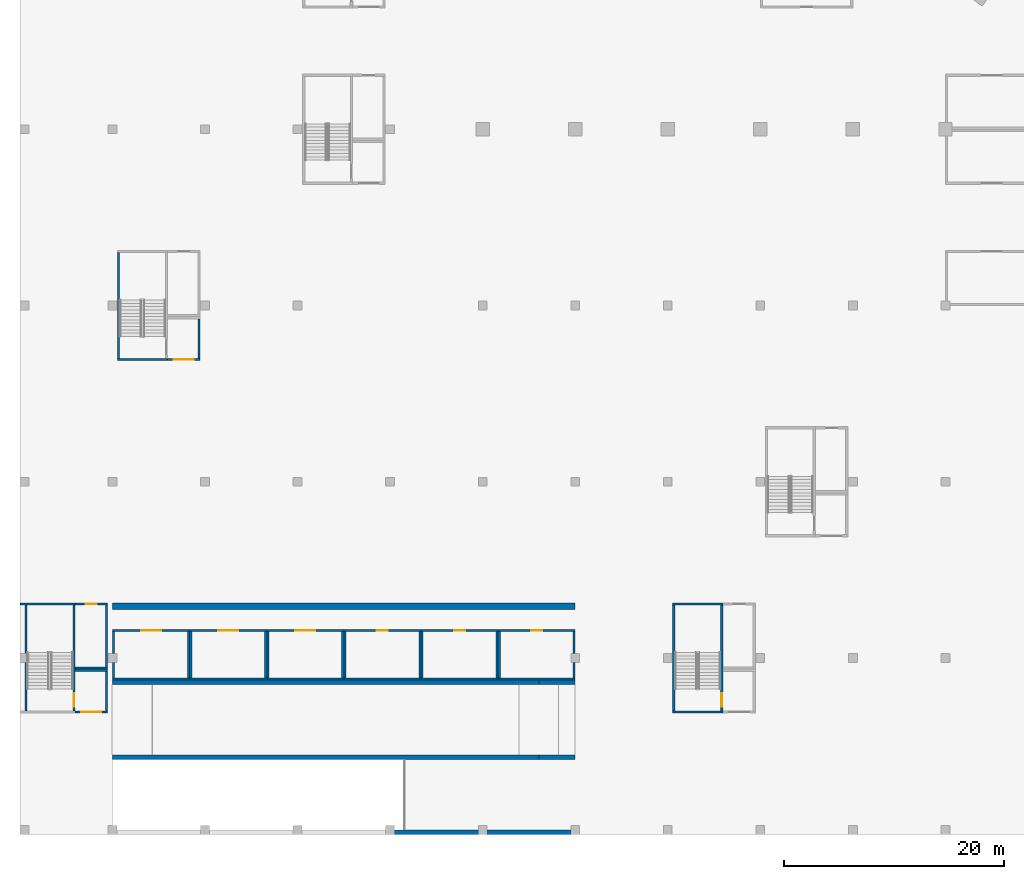
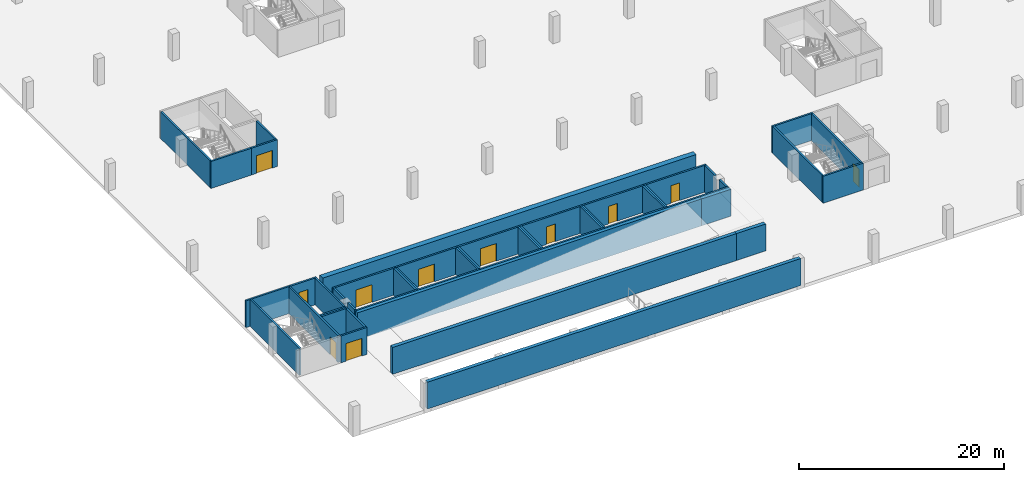
# One storey, part 4 of 37: 49 walls, 11 doors, 11 openings.
"""IFC4 building model written with IfcOpenShell, lengths in metres."""

from ifc_helpers import new_model, si_unit, direction, frame, frame_2d, origin, place, context, subcontext, project, spatial, rectangle, extrude, material, layer, layer_set, type_object, element, fill, save


model = new_model("IFC4")

# Units and contexts
model_context = context("Model", 3, precision=1e-05, world=origin(), true_north=direction((0.0, 1.0)))
body_context = subcontext(model_context, "Body", "Model", "MODEL_VIEW")
ifc_project = project(units=[si_unit("LENGTHUNIT", "METRE"), si_unit("AREAUNIT", "SQUARE_METRE"), si_unit("VOLUMEUNIT", "CUBIC_METRE"), si_unit("PLANEANGLEUNIT", "RADIAN"), si_unit("MASSUNIT", "GRAM", prefix="KILO")], contexts=[model_context])

# Site, building, storey
site_placement = place(None, origin())
site = spatial("IfcSite", under=ifc_project, at=site_placement, CompositionType="ELEMENT")
building_placement = place(site_placement, origin())
building = spatial("IfcBuilding", under=site, at=building_placement, Name="Tamra Quay Hotel Tower", CompositionType="ELEMENT")
storey_placement = place(building_placement, frame((0.0, 0.0, -7.199951171875)))
storey = spatial("IfcBuildingStorey", under=building, at=storey_placement, Name="B2", CompositionType="ELEMENT", Elevation=-7.199951171875)

# Wall
ifc_material_1 = material(Name="Blockwork", Category="masonry")
ifc_layer_1 = layer(ifc_material_1, 0.199951171875)
ifc_layer_set_1 = layer_set([ifc_layer_1], Name="Car park room wall 200")
wall_type_1 = type_object("IfcWallType", Name="Car park room wall 200", PredefinedType="PARTITIONING", material=ifc_layer_set_1)
wall_1_placement = place(storey_placement, frame((-114.300048828125, -65.89990234375, 0.0), z_axis=(0.0, 0.0, 1.0), x_axis=(1.0, 0.0, 0.0)))
element("IfcWall", 1, at=wall_1_placement, inside=storey, type_object=wall_type_1, Name="PW", PredefinedType="PARTITIONING", context=body_context, shape_type="SweptSolid", body=[
    extrude(rectangle(XDim=7.0, YDim=0.199951171875, at=frame_2d((3.5, 0.0))), origin(), (0.0, 0.0, 1.0), 3.199951171875),
])

# Wall, opening, door
wall_2_placement = place(storey_placement, frame((-114.300048828125, -61.5, 0.0), z_axis=(0.0, 0.0, 1.0), x_axis=(1.0, 0.0, 0.0)))
wall_2 = element("IfcWall", 2, at=wall_2_placement, inside=storey, type_object=wall_type_1, Name="PW", PredefinedType="PARTITIONING", context=body_context, shape_type="SweptSolid", body=[
    extrude(rectangle(XDim=7.0, YDim=0.199951171875, at=frame_2d((3.5, 0.0))), origin(), (0.0, 0.0, 1.0), 3.199951171875),
])
opening_1_placement = place(wall_2_placement, frame((2.60009765625, 0.0, 0.0)))
opening_1 = element("IfcOpeningElement", 3, at=opening_1_placement, cuts=wall_2, Name="Opening PD2", PredefinedType="OPENING", context=body_context, shape_type="SweptSolid", body=[
    extrude(rectangle(XDim=1.800048828125, YDim=2.10009765625, at=frame_2d((0.89990234375, 1.050048828125))), frame((0.0, 0.10986328125, 0.0), z_axis=(0.0, -1.0, 0.0), x_axis=(1.0, 0.0, 0.0)), (0.0, 0.0, 1.0), 0.219970703125),
])
ifc_material_2 = material(Name="Plant door 1800 x 2100")
door_type_1 = type_object("IfcDoorType", Name="Plant door 1800 x 2100", OperationType="DOUBLE_DOOR_SINGLE_SWING", PredefinedType="DOOR", material=ifc_material_2)
door_1_placement = place(opening_1_placement, origin())
door_1 = element("IfcDoor", 4, at=door_1_placement, inside=storey, type_object=door_type_1, Name="PD2", OperationType="DOUBLE_DOOR_SINGLE_SWING", OverallHeight=2.10009765625, OverallWidth=1.800048828125, PredefinedType="DOOR", context=body_context, shape_type="SweptSolid", body=[
    extrude(rectangle(XDim=1.800048828125, YDim=2.10009765625, at=frame_2d((0.89990234375, 1.050048828125))), frame((0.0, 0.02490234375, 0.0), z_axis=(0.0, -1.0, 0.0), x_axis=(1.0, 0.0, 0.0)), (0.0, 0.0, 1.0), 0.050048828125),
])
fill(opening_1, door_1)

# Walls
wall_3_placement = place(storey_placement, frame((-114.199951171875, -65.800048828125, 0.0), z_axis=(0.0, 0.0, 1.0), x_axis=(0.0, 1.0, 0.0)))
element("IfcWall", 5, at=wall_3_placement, inside=storey, type_object=wall_type_1, Name="PW", PredefinedType="PARTITIONING", context=body_context, shape_type="SweptSolid", body=[
    extrude(rectangle(XDim=1.400146484375, YDim=0.199951171875, at=frame_2d((0.7001953125, 0.0))), origin(), (0.0, 0.0, 1.0), 3.199951171875),
])
wall_4_placement = place(storey_placement, frame((-114.199951171875, -63.60009765625, 0.0), z_axis=(0.0, 0.0, 1.0), x_axis=(0.0, 1.0, 0.0)))
element("IfcWall", 6, at=wall_4_placement, inside=storey, type_object=wall_type_1, Name="PW", PredefinedType="PARTITIONING", context=body_context, shape_type="SweptSolid", body=[
    extrude(rectangle(XDim=2.0, YDim=0.199951171875, at=frame_2d((1.0, 0.0))), origin(), (0.0, 0.0, 1.0), 3.199951171875),
])
wall_5_placement = place(storey_placement, frame((-107.39990234375, -65.800048828125, 0.0), z_axis=(0.0, 0.0, 1.0), x_axis=(0.0, 1.0, 0.0)))
element("IfcWall", 7, at=wall_5_placement, inside=storey, type_object=wall_type_1, Name="PW", PredefinedType="PARTITIONING", context=body_context, shape_type="SweptSolid", body=[
    extrude(rectangle(XDim=4.199951171875, YDim=0.199951171875, at=frame_2d((2.10009765625, 0.0))), origin(), (0.0, 0.0, 1.0), 3.199951171875),
])
wall_6_placement = place(storey_placement, frame((-107.300048828125, -65.89990234375, 0.0), z_axis=(0.0, 0.0, 1.0), x_axis=(1.0, 0.0, 0.0)))
element("IfcWall", 8, at=wall_6_placement, inside=storey, type_object=wall_type_1, Name="PW", PredefinedType="PARTITIONING", context=body_context, shape_type="SweptSolid", body=[
    extrude(rectangle(XDim=7.0, YDim=0.199951171875, at=frame_2d((3.5, 0.0))), origin(), (0.0, 0.0, 1.0), 3.199951171875),
])

# Wall, opening, door
wall_7_placement = place(storey_placement, frame((-107.300048828125, -61.5, 0.0), z_axis=(0.0, 0.0, 1.0), x_axis=(1.0, 0.0, 0.0)))
wall_7 = element("IfcWall", 9, at=wall_7_placement, inside=storey, type_object=wall_type_1, Name="PW", PredefinedType="PARTITIONING", context=body_context, shape_type="SweptSolid", body=[
    extrude(rectangle(XDim=7.0, YDim=0.199951171875, at=frame_2d((3.5, 0.0))), origin(), (0.0, 0.0, 1.0), 3.199951171875),
])
opening_2_placement = place(wall_7_placement, frame((2.60009765625, 0.0, 0.0)))
opening_2 = element("IfcOpeningElement", 10, at=opening_2_placement, cuts=wall_7, Name="Opening PD2", PredefinedType="OPENING", context=body_context, shape_type="SweptSolid", body=[
    extrude(rectangle(XDim=1.800048828125, YDim=2.10009765625, at=frame_2d((0.89990234375, 1.050048828125))), frame((0.0, 0.10986328125, 0.0), z_axis=(0.0, -1.0, 0.0), x_axis=(1.0, 0.0, 0.0)), (0.0, 0.0, 1.0), 0.219970703125),
])
door_2_placement = place(opening_2_placement, origin())
door_2 = element("IfcDoor", 11, at=door_2_placement, inside=storey, type_object=door_type_1, Name="PD2", OperationType="DOUBLE_DOOR_SINGLE_SWING", OverallHeight=2.10009765625, OverallWidth=1.800048828125, PredefinedType="DOOR", context=body_context, shape_type="SweptSolid", body=[
    extrude(rectangle(XDim=1.800048828125, YDim=2.10009765625, at=frame_2d((0.89990234375, 1.050048828125))), frame((0.0, 0.02490234375, 0.0), z_axis=(0.0, -1.0, 0.0), x_axis=(1.0, 0.0, 0.0)), (0.0, 0.0, 1.0), 0.050048828125),
])
fill(opening_2, door_2)

# Walls
for number, where, z_axis, x_axis, name in (
    (12, (-107.199951171875, -65.800048828125, 0.0), (0.0, 0.0, 1.0), (0.0, 1.0, 0.0), "PW"),
    (13, (-100.39990234375, -65.800048828125, 0.0), (0.0, 0.0, 1.0), (0.0, 1.0, 0.0), "PW"),
):
    element("IfcWall", number, at=place(storey_placement, frame(where, z_axis=z_axis, x_axis=x_axis)), inside=storey, type_object=wall_type_1, Name=name, PredefinedType="PARTITIONING", context=body_context, shape_type="SweptSolid", body=[
        extrude(rectangle(XDim=4.199951171875, YDim=0.199951171875, at=frame_2d((2.10009765625, 0.0))), origin(), (0.0, 0.0, 1.0), 3.199951171875),
    ])
wall_8_placement = place(storey_placement, frame((-100.300048828125, -65.89990234375, 0.0), z_axis=(0.0, 0.0, 1.0), x_axis=(1.0, 0.0, 0.0)))
element("IfcWall", 14, at=wall_8_placement, inside=storey, type_object=wall_type_1, Name="PW", PredefinedType="PARTITIONING", context=body_context, shape_type="SweptSolid", body=[
    extrude(rectangle(XDim=7.0, YDim=0.199951171875, at=frame_2d((3.5, 0.0))), origin(), (0.0, 0.0, 1.0), 3.199951171875),
])

# Wall, opening, door
wall_9_placement = place(storey_placement, frame((-100.300048828125, -61.5, 0.0), z_axis=(0.0, 0.0, 1.0), x_axis=(1.0, 0.0, 0.0)))
wall_9 = element("IfcWall", 15, at=wall_9_placement, inside=storey, type_object=wall_type_1, Name="PW", PredefinedType="PARTITIONING", context=body_context, shape_type="SweptSolid", body=[
    extrude(rectangle(XDim=7.0, YDim=0.199951171875, at=frame_2d((3.5, 0.0))), origin(), (0.0, 0.0, 1.0), 3.199951171875),
])
opening_3_placement = place(wall_9_placement, frame((2.60009765625, 0.0, 0.0)))
opening_3 = element("IfcOpeningElement", 16, at=opening_3_placement, cuts=wall_9, Name="Opening PD2", PredefinedType="OPENING", context=body_context, shape_type="SweptSolid", body=[
    extrude(rectangle(XDim=1.800048828125, YDim=2.10009765625, at=frame_2d((0.89990234375, 1.050048828125))), frame((0.0, 0.10986328125, 0.0), z_axis=(0.0, -1.0, 0.0), x_axis=(1.0, 0.0, 0.0)), (0.0, 0.0, 1.0), 0.219970703125),
])
door_3_placement = place(opening_3_placement, origin())
door_3 = element("IfcDoor", 17, at=door_3_placement, inside=storey, type_object=door_type_1, Name="PD2", OperationType="DOUBLE_DOOR_SINGLE_SWING", OverallHeight=2.10009765625, OverallWidth=1.800048828125, PredefinedType="DOOR", context=body_context, shape_type="SweptSolid", body=[
    extrude(rectangle(XDim=1.800048828125, YDim=2.10009765625, at=frame_2d((0.89990234375, 1.050048828125))), frame((0.0, 0.02490234375, 0.0), z_axis=(0.0, -1.0, 0.0), x_axis=(1.0, 0.0, 0.0)), (0.0, 0.0, 1.0), 0.050048828125),
])
fill(opening_3, door_3)

# Walls
for number, where, z_axis, x_axis, name in (
    (18, (-100.199951171875, -65.800048828125, 0.0), (0.0, 0.0, 1.0), (0.0, 1.0, 0.0), "PW"),
    (19, (-93.39990234375, -65.800048828125, 0.0), (0.0, 0.0, 1.0), (0.0, 1.0, 0.0), "PW"),
):
    element("IfcWall", number, at=place(storey_placement, frame(where, z_axis=z_axis, x_axis=x_axis)), inside=storey, type_object=wall_type_1, Name=name, PredefinedType="PARTITIONING", context=body_context, shape_type="SweptSolid", body=[
        extrude(rectangle(XDim=4.199951171875, YDim=0.199951171875, at=frame_2d((2.10009765625, 0.0))), origin(), (0.0, 0.0, 1.0), 3.199951171875),
    ])
wall_10_placement = place(storey_placement, frame((-93.300048828125, -65.89990234375, 0.0), z_axis=(0.0, 0.0, 1.0), x_axis=(1.0, 0.0, 0.0)))
element("IfcWall", 20, at=wall_10_placement, inside=storey, type_object=wall_type_1, Name="PW", PredefinedType="PARTITIONING", context=body_context, shape_type="SweptSolid", body=[
    extrude(rectangle(XDim=7.0, YDim=0.199951171875, at=frame_2d((3.5, 0.0))), origin(), (0.0, 0.0, 1.0), 3.199951171875),
])

# Wall, opening, door
wall_11_placement = place(storey_placement, frame((-93.300048828125, -61.5, 0.0), z_axis=(0.0, 0.0, 1.0), x_axis=(1.0, 0.0, 0.0)))
wall_11 = element("IfcWall", 21, at=wall_11_placement, inside=storey, type_object=wall_type_1, Name="PW", PredefinedType="PARTITIONING", context=body_context, shape_type="SweptSolid", body=[
    extrude(rectangle(XDim=7.0, YDim=0.199951171875, at=frame_2d((3.5, 0.0))), origin(), (0.0, 0.0, 1.0), 3.199951171875),
])
opening_4_placement = place(wall_11_placement, frame((3.0, 0.0, 0.0)))
opening_4 = element("IfcOpeningElement", 22, at=opening_4_placement, cuts=wall_11, Name="Opening PD1", PredefinedType="OPENING", context=body_context, shape_type="SweptSolid", body=[
    extrude(rectangle(XDim=1.0, YDim=2.10009765625, at=frame_2d((0.5, 1.050048828125))), frame((0.0, 0.10986328125, 0.0), z_axis=(0.0, -1.0, 0.0), x_axis=(1.0, 0.0, 0.0)), (0.0, 0.0, 1.0), 0.219970703125),
])
ifc_material_3 = material(Name="Car park door 1000 x 2100")
door_type_2 = type_object("IfcDoorType", Name="Car park door 1000 x 2100", OperationType="NOTDEFINED", PredefinedType="DOOR", material=ifc_material_3)
door_4_placement = place(opening_4_placement, origin())
door_4 = element("IfcDoor", 23, at=door_4_placement, inside=storey, type_object=door_type_2, Name="PD1", OperationType="SINGLE_SWING_LEFT", OverallHeight=2.10009765625, OverallWidth=1.0, PredefinedType="DOOR", context=body_context, shape_type="SweptSolid", body=[
    extrude(rectangle(XDim=1.0, YDim=2.10009765625, at=frame_2d((0.5, 1.050048828125))), frame((0.0, 0.02490234375, 0.0), z_axis=(0.0, -1.0, 0.0), x_axis=(1.0, 0.0, 0.0)), (0.0, 0.0, 1.0), 0.050048828125),
])
fill(opening_4, door_4)

# Walls
for number, where, z_axis, x_axis, name in (
    (24, (-93.199951171875, -65.800048828125, 0.0), (0.0, 0.0, 1.0), (0.0, 1.0, 0.0), "PW"),
    (25, (-86.39990234375, -65.800048828125, 0.0), (0.0, 0.0, 1.0), (0.0, 1.0, 0.0), "PW"),
):
    element("IfcWall", number, at=place(storey_placement, frame(where, z_axis=z_axis, x_axis=x_axis)), inside=storey, type_object=wall_type_1, Name=name, PredefinedType="PARTITIONING", context=body_context, shape_type="SweptSolid", body=[
        extrude(rectangle(XDim=4.199951171875, YDim=0.199951171875, at=frame_2d((2.10009765625, 0.0))), origin(), (0.0, 0.0, 1.0), 3.199951171875),
    ])
wall_12_placement = place(storey_placement, frame((-86.300048828125, -65.89990234375, 0.0), z_axis=(0.0, 0.0, 1.0), x_axis=(1.0, 0.0, 0.0)))
element("IfcWall", 26, at=wall_12_placement, inside=storey, type_object=wall_type_1, Name="PW", PredefinedType="PARTITIONING", context=body_context, shape_type="SweptSolid", body=[
    extrude(rectangle(XDim=7.0, YDim=0.199951171875, at=frame_2d((3.5, 0.0))), origin(), (0.0, 0.0, 1.0), 3.199951171875),
])

# Wall, opening, door
wall_13_placement = place(storey_placement, frame((-86.300048828125, -61.5, 0.0), z_axis=(0.0, 0.0, 1.0), x_axis=(1.0, 0.0, 0.0)))
wall_13 = element("IfcWall", 27, at=wall_13_placement, inside=storey, type_object=wall_type_1, Name="PW", PredefinedType="PARTITIONING", context=body_context, shape_type="SweptSolid", body=[
    extrude(rectangle(XDim=7.0, YDim=0.199951171875, at=frame_2d((3.5, 0.0))), origin(), (0.0, 0.0, 1.0), 3.199951171875),
])
opening_5_placement = place(wall_13_placement, frame((3.0, 0.0, 0.0)))
opening_5 = element("IfcOpeningElement", 28, at=opening_5_placement, cuts=wall_13, Name="Opening PD1", PredefinedType="OPENING", context=body_context, shape_type="SweptSolid", body=[
    extrude(rectangle(XDim=1.0, YDim=2.10009765625, at=frame_2d((0.5, 1.050048828125))), frame((0.0, 0.10986328125, 0.0), z_axis=(0.0, -1.0, 0.0), x_axis=(1.0, 0.0, 0.0)), (0.0, 0.0, 1.0), 0.219970703125),
])
door_5_placement = place(opening_5_placement, origin())
door_5 = element("IfcDoor", 29, at=door_5_placement, inside=storey, type_object=door_type_2, Name="PD1", OperationType="SINGLE_SWING_LEFT", OverallHeight=2.10009765625, OverallWidth=1.0, PredefinedType="DOOR", context=body_context, shape_type="SweptSolid", body=[
    extrude(rectangle(XDim=1.0, YDim=2.10009765625, at=frame_2d((0.5, 1.050048828125))), frame((0.0, 0.02490234375, 0.0), z_axis=(0.0, -1.0, 0.0), x_axis=(1.0, 0.0, 0.0)), (0.0, 0.0, 1.0), 0.050048828125),
])
fill(opening_5, door_5)

# Walls
for number, where, z_axis, x_axis, name in (
    (30, (-86.199951171875, -65.800048828125, 0.0), (0.0, 0.0, 1.0), (0.0, 1.0, 0.0), "PW"),
    (31, (-79.39990234375, -65.800048828125, 0.0), (0.0, 0.0, 1.0), (0.0, 1.0, 0.0), "PW"),
):
    element("IfcWall", number, at=place(storey_placement, frame(where, z_axis=z_axis, x_axis=x_axis)), inside=storey, type_object=wall_type_1, Name=name, PredefinedType="PARTITIONING", context=body_context, shape_type="SweptSolid", body=[
        extrude(rectangle(XDim=4.199951171875, YDim=0.199951171875, at=frame_2d((2.10009765625, 0.0))), origin(), (0.0, 0.0, 1.0), 3.199951171875),
    ])
wall_14_placement = place(storey_placement, frame((-79.300048828125, -65.89990234375, 0.0), z_axis=(0.0, 0.0, 1.0), x_axis=(1.0, 0.0, 0.0)))
element("IfcWall", 32, at=wall_14_placement, inside=storey, type_object=wall_type_1, Name="PW", PredefinedType="PARTITIONING", context=body_context, shape_type="SweptSolid", body=[
    extrude(rectangle(XDim=7.0, YDim=0.199951171875, at=frame_2d((3.5, 0.0))), origin(), (0.0, 0.0, 1.0), 3.199951171875),
])

# Wall, opening, door
wall_15_placement = place(storey_placement, frame((-79.300048828125, -61.5, 0.0), z_axis=(0.0, 0.0, 1.0), x_axis=(1.0, 0.0, 0.0)))
wall_15 = element("IfcWall", 33, at=wall_15_placement, inside=storey, type_object=wall_type_1, Name="PW", PredefinedType="PARTITIONING", context=body_context, shape_type="SweptSolid", body=[
    extrude(rectangle(XDim=7.0, YDim=0.199951171875, at=frame_2d((3.5, 0.0))), origin(), (0.0, 0.0, 1.0), 3.199951171875),
])
opening_6_placement = place(wall_15_placement, frame((3.0, 0.0, 0.0)))
opening_6 = element("IfcOpeningElement", 34, at=opening_6_placement, cuts=wall_15, Name="Opening PD1", PredefinedType="OPENING", context=body_context, shape_type="SweptSolid", body=[
    extrude(rectangle(XDim=1.0, YDim=2.10009765625, at=frame_2d((0.5, 1.050048828125))), frame((0.0, 0.10986328125, 0.0), z_axis=(0.0, -1.0, 0.0), x_axis=(1.0, 0.0, 0.0)), (0.0, 0.0, 1.0), 0.219970703125),
])
door_6_placement = place(opening_6_placement, origin())
door_6 = element("IfcDoor", 35, at=door_6_placement, inside=storey, type_object=door_type_2, Name="PD1", OperationType="SINGLE_SWING_LEFT", OverallHeight=2.10009765625, OverallWidth=1.0, PredefinedType="DOOR", context=body_context, shape_type="SweptSolid", body=[
    extrude(rectangle(XDim=1.0, YDim=2.10009765625, at=frame_2d((0.5, 1.050048828125))), frame((0.0, 0.02490234375, 0.0), z_axis=(0.0, -1.0, 0.0), x_axis=(1.0, 0.0, 0.0)), (0.0, 0.0, 1.0), 0.050048828125),
])
fill(opening_6, door_6)

# Walls
wall_16_placement = place(storey_placement, frame((-79.199951171875, -65.800048828125, 0.0), z_axis=(0.0, 0.0, 1.0), x_axis=(0.0, 1.0, 0.0)))
element("IfcWall", 36, at=wall_16_placement, inside=storey, type_object=wall_type_1, Name="PW", PredefinedType="PARTITIONING", context=body_context, shape_type="SweptSolid", body=[
    extrude(rectangle(XDim=4.199951171875, YDim=0.199951171875, at=frame_2d((2.10009765625, 0.0))), origin(), (0.0, 0.0, 1.0), 3.199951171875),
])
wall_17_placement = place(storey_placement, frame((-72.39990234375, -65.800048828125, 0.0), z_axis=(0.0, 0.0, 1.0), x_axis=(0.0, 1.0, 0.0)))
element("IfcWall", 37, at=wall_17_placement, inside=storey, type_object=wall_type_1, Name="PW", PredefinedType="PARTITIONING", context=body_context, shape_type="SweptSolid", body=[
    extrude(rectangle(XDim=1.400146484375, YDim=0.199951171875, at=frame_2d((0.7001953125, 0.0))), origin(), (0.0, 0.0, 1.0), 3.199951171875),
])
wall_18_placement = place(storey_placement, frame((-72.39990234375, -63.60009765625, 0.0), z_axis=(0.0, 0.0, 1.0), x_axis=(0.0, 1.0, 0.0)))
element("IfcWall", 38, at=wall_18_placement, inside=storey, type_object=wall_type_1, Name="PW", PredefinedType="PARTITIONING", context=body_context, shape_type="SweptSolid", body=[
    extrude(rectangle(XDim=2.0, YDim=0.199951171875, at=frame_2d((1.0, 0.0))), origin(), (0.0, 0.0, 1.0), 3.199951171875),
])

# Wall, opening, door
wall_19_placement = place(storey_placement, frame((-109.300048828125, -36.89990234375, 0.0), z_axis=(0.0, 0.0, 1.0), x_axis=(1.0, 0.0, 0.0)))
wall_19 = element("IfcWall", 39, at=wall_19_placement, inside=storey, type_object=wall_type_1, Name="PW", PredefinedType="PARTITIONING", context=body_context, shape_type="SweptSolid", body=[
    extrude(rectangle(XDim=2.949951171875, YDim=0.199951171875, at=frame_2d((1.47509765625, 0.0))), origin(), (0.0, 0.0, 1.0), 3.199951171875),
])
opening_7_placement = place(wall_19_placement, frame((0.574951171875, 0.0, 0.0)))
opening_7 = element("IfcOpeningElement", 40, at=opening_7_placement, cuts=wall_19, Name="Opening PD2", PredefinedType="OPENING", context=body_context, shape_type="SweptSolid", body=[
    extrude(rectangle(XDim=1.800048828125, YDim=2.10009765625, at=frame_2d((0.89990234375, 1.050048828125))), frame((0.0, 0.10986328125, 0.0), z_axis=(0.0, -1.0, 0.0), x_axis=(1.0, 0.0, 0.0)), (0.0, 0.0, 1.0), 0.219970703125),
])
door_7_placement = place(opening_7_placement, origin())
door_7 = element("IfcDoor", 41, at=door_7_placement, inside=storey, type_object=door_type_1, Name="PD2", OperationType="DOUBLE_DOOR_SINGLE_SWING", OverallHeight=2.10009765625, OverallWidth=1.800048828125, PredefinedType="DOOR", context=body_context, shape_type="SweptSolid", body=[
    extrude(rectangle(XDim=1.800048828125, YDim=2.10009765625, at=frame_2d((0.89990234375, 1.050048828125))), frame((0.0, 0.02490234375, 0.0), z_axis=(0.0, -1.0, 0.0), x_axis=(1.0, 0.0, 0.0)), (0.0, 0.0, 1.0), 0.050048828125),
])
fill(opening_7, door_7)

# Wall
wall_20_placement = place(storey_placement, frame((-106.449951171875, -36.800048828125, 0.0), z_axis=(0.0, 0.0, 1.0), x_axis=(0.0, 1.0, 0.0)))
element("IfcWall", 42, at=wall_20_placement, inside=storey, type_object=wall_type_1, Name="PW", PredefinedType="PARTITIONING", context=body_context, shape_type="SweptSolid", body=[
    extrude(rectangle(XDim=3.60009765625, YDim=0.199951171875, at=frame_2d((1.800048828125, 0.0))), origin(), (0.0, 0.0, 1.0), 3.199951171875),
])

# Wall, opening, door
wall_21_placement = place(storey_placement, frame((-117.699951171875, -68.89990234375, 0.0), z_axis=(0.0, 0.0, 1.0), x_axis=(1.0, 0.0, 0.0)))
wall_21 = element("IfcWall", 43, at=wall_21_placement, inside=storey, type_object=wall_type_1, Name="PW", PredefinedType="PARTITIONING", context=body_context, shape_type="SweptSolid", body=[
    extrude(rectangle(XDim=2.949951171875, YDim=0.199951171875, at=frame_2d((1.47509765625, 0.0))), origin(), (0.0, 0.0, 1.0), 3.199951171875),
])
opening_8_placement = place(wall_21_placement, frame((0.574951171875, 0.0, 0.0)))
opening_8 = element("IfcOpeningElement", 44, at=opening_8_placement, cuts=wall_21, Name="Opening PD2", PredefinedType="OPENING", context=body_context, shape_type="SweptSolid", body=[
    extrude(rectangle(XDim=1.800048828125, YDim=2.10009765625, at=frame_2d((0.89990234375, 1.050048828125))), frame((0.0, 0.10986328125, 0.0), z_axis=(0.0, -1.0, 0.0), x_axis=(1.0, 0.0, 0.0)), (0.0, 0.0, 1.0), 0.219970703125),
])
door_8_placement = place(opening_8_placement, origin())
door_8 = element("IfcDoor", 45, at=door_8_placement, inside=storey, type_object=door_type_1, Name="PD2", OperationType="DOUBLE_DOOR_SINGLE_SWING", OverallHeight=2.10009765625, OverallWidth=1.800048828125, PredefinedType="DOOR", context=body_context, shape_type="SweptSolid", body=[
    extrude(rectangle(XDim=1.800048828125, YDim=2.10009765625, at=frame_2d((0.89990234375, 1.050048828125))), frame((0.0, 0.02490234375, 0.0), z_axis=(0.0, -1.0, 0.0), x_axis=(1.0, 0.0, 0.0)), (0.0, 0.0, 1.0), 0.050048828125),
])
fill(opening_8, door_8)

# Walls
wall_22_placement = place(storey_placement, frame((-117.699951171875, -65.10009765625, 0.0), z_axis=(0.0, 0.0, 1.0), x_axis=(1.0, 0.0, 0.0)))
element("IfcWall", 46, at=wall_22_placement, inside=storey, type_object=wall_type_1, Name="PW", PredefinedType="PARTITIONING", context=body_context, shape_type="SweptSolid", body=[
    extrude(rectangle(XDim=2.949951171875, YDim=0.199951171875, at=frame_2d((1.47509765625, 0.0))), origin(), (0.0, 0.0, 1.0), 3.199951171875),
])
wall_23_placement = place(storey_placement, frame((-114.85009765625, -68.800048828125, 0.0), z_axis=(0.0, 0.0, 1.0), x_axis=(0.0, 1.0, 0.0)))
element("IfcWall", 47, at=wall_23_placement, inside=storey, type_object=wall_type_1, Name="PW", PredefinedType="PARTITIONING", context=body_context, shape_type="SweptSolid", body=[
    extrude(rectangle(XDim=3.60009765625, YDim=0.199951171875, at=frame_2d((1.800048828125, 0.0))), origin(), (0.0, 0.0, 1.0), 3.199951171875),
])
wall_24_placement = place(storey_placement, frame((-117.699951171875, -64.89990234375, 0.0), z_axis=(0.0, 0.0, 1.0), x_axis=(1.0, 0.0, 0.0)))
element("IfcWall", 48, at=wall_24_placement, inside=storey, type_object=wall_type_1, Name="PW", PredefinedType="PARTITIONING", context=body_context, shape_type="SweptSolid", body=[
    extrude(rectangle(XDim=2.949951171875, YDim=0.199951171875, at=frame_2d((1.47509765625, 0.0))), origin(), (0.0, 0.0, 1.0), 3.199951171875),
])

# Wall, opening, door
wall_25_placement = place(storey_placement, frame((-117.699951171875, -59.10009765625, 0.0), z_axis=(0.0, 0.0, 1.0), x_axis=(1.0, 0.0, 0.0)))
wall_25 = element("IfcWall", 49, at=wall_25_placement, inside=storey, type_object=wall_type_1, Name="PW", PredefinedType="PARTITIONING", context=body_context, shape_type="SweptSolid", body=[
    extrude(rectangle(XDim=2.949951171875, YDim=0.199951171875, at=frame_2d((1.47509765625, 0.0))), origin(), (0.0, 0.0, 1.0), 3.199951171875),
])
opening_9_placement = place(wall_25_placement, frame((0.97509765625, 0.0, 0.0)))
opening_9 = element("IfcOpeningElement", 50, at=opening_9_placement, cuts=wall_25, Name="Opening PD1", PredefinedType="OPENING", context=body_context, shape_type="SweptSolid", body=[
    extrude(rectangle(XDim=1.0, YDim=2.10009765625, at=frame_2d((0.5, 1.050048828125))), frame((0.0, 0.10986328125, 0.0), z_axis=(0.0, -1.0, 0.0), x_axis=(1.0, 0.0, 0.0)), (0.0, 0.0, 1.0), 0.219970703125),
])
door_9_placement = place(opening_9_placement, origin())
door_9 = element("IfcDoor", 51, at=door_9_placement, inside=storey, type_object=door_type_2, Name="PD1", OperationType="SINGLE_SWING_LEFT", OverallHeight=2.10009765625, OverallWidth=1.0, PredefinedType="DOOR", context=body_context, shape_type="SweptSolid", body=[
    extrude(rectangle(XDim=1.0, YDim=2.10009765625, at=frame_2d((0.5, 1.050048828125))), frame((0.0, 0.02490234375, 0.0), z_axis=(0.0, -1.0, 0.0), x_axis=(1.0, 0.0, 0.0)), (0.0, 0.0, 1.0), 0.050048828125),
])
fill(opening_9, door_9)

# Walls
wall_26_placement = place(storey_placement, frame((-114.85009765625, -64.800048828125, 0.0), z_axis=(0.0, 0.0, 1.0), x_axis=(0.0, 1.0, 0.0)))
element("IfcWall", 52, at=wall_26_placement, inside=storey, type_object=wall_type_1, Name="PW", PredefinedType="PARTITIONING", context=body_context, shape_type="SweptSolid", body=[
    extrude(rectangle(XDim=5.60009765625, YDim=0.199951171875, at=frame_2d((2.800048828125, 0.0))), origin(), (0.0, 0.0, 1.0), 3.199951171875),
])
ifc_material_4 = material(Name="Concrete M60", Category="concrete")
ifc_layer_2 = layer(ifc_material_4, 0.39990234375)
ifc_layer_set_2 = layer_set([ifc_layer_2], Name="Concrete M60 ramp kerb wall 400")
wall_type_2 = type_object("IfcWallType", Name="Concrete M60 ramp kerb wall 400", PredefinedType="SOLIDWALL", material=ifc_layer_set_2)
wall_27_placement = place(storey_placement, frame((-114.300048828125, -79.800048828125, 0.0), z_axis=(0.0, 0.0, 1.0), x_axis=(1.0, 0.0, 0.0)))
element("IfcWall", 53, at=wall_27_placement, inside=storey, type_object=wall_type_2, Name="RW4", PredefinedType="SOLIDWALL", context=body_context, shape_type="SweptSolid", body=[
    extrude(rectangle(XDim=42.0, YDim=0.39990234375, at=frame_2d((21.0, 0.0))), origin(), (0.0, 0.0, 1.0), 3.199951171875),
])
wall_28_placement = place(storey_placement, frame((-114.300048828125, -73.0, 0.0), z_axis=(0.0, 0.0, 1.0), x_axis=(1.0, 0.0, 0.0)))
element("IfcWall", 54, at=wall_28_placement, inside=storey, type_object=wall_type_2, Name="RW4", PredefinedType="SOLIDWALL", context=body_context, shape_type="SweptSolid", body=[
    extrude(rectangle(XDim=38.699951171875, YDim=0.39990234375, at=frame_2d((19.35009765625, 0.0))), origin(), (0.0, 0.0, 1.0), 3.199951171875),
])
wall_29_placement = place(storey_placement, frame((-75.60009765625, -73.0, 0.0), z_axis=(0.0, 0.0, 1.0), x_axis=(1.0, 0.0, 0.0)))
element("IfcWall", 55, at=wall_29_placement, inside=storey, type_object=wall_type_2, Name="RW4", PredefinedType="SOLIDWALL", context=body_context, shape_type="SweptSolid", body=[
    extrude(rectangle(XDim=3.300048828125, YDim=0.39990234375, at=frame_2d((1.64990234375, 0.0))), origin(), (0.0, 0.0, 1.0), 3.199951171875),
])
wall_30_placement = place(storey_placement, frame((-114.300048828125, -66.199951171875, 0.0), z_axis=(0.0, 0.0, 1.0), x_axis=(1.0, 0.0, 0.0)))
element("IfcWall", 56, at=wall_30_placement, inside=storey, type_object=wall_type_2, Name="RW4", PredefinedType="SOLIDWALL", context=body_context, shape_type="SweptSolid", body=[
    extrude(rectangle(XDim=38.699951171875, YDim=0.39990234375, at=frame_2d((19.35009765625, 0.0))), origin(), (0.0, 0.0, 1.0), 3.199951171875),
])
wall_31_placement = place(storey_placement, frame((-75.60009765625, -66.199951171875, 0.0), z_axis=(0.0, 0.0, 1.0), x_axis=(1.0, 0.0, 0.0)))
element("IfcWall", 57, at=wall_31_placement, inside=storey, type_object=wall_type_2, Name="RW4", PredefinedType="SOLIDWALL", context=body_context, shape_type="SweptSolid", body=[
    extrude(rectangle(XDim=3.300048828125, YDim=0.39990234375, at=frame_2d((1.64990234375, 0.0))), origin(), (0.0, 0.0, 1.0), 3.199951171875),
])
ifc_layer_3 = layer(ifc_material_4, 0.60009765625)
ifc_layer_set_3 = layer_set([ifc_layer_3], Name="Concrete M60 ramp kerb wall 600")
wall_type_3 = type_object("IfcWallType", Name="Concrete M60 ramp kerb wall 600", PredefinedType="SOLIDWALL", material=ifc_layer_set_3)
wall_32_placement = place(storey_placement, frame((-114.300048828125, -59.300048828125, 0.0), z_axis=(0.0, 0.0, 1.0), x_axis=(1.0, 0.0, 0.0)))
element("IfcWall", 58, at=wall_32_placement, inside=storey, type_object=wall_type_3, Name="RW6", PredefinedType="SOLIDWALL", context=body_context, shape_type="SweptSolid", body=[
    extrude(rectangle(XDim=42.0, YDim=0.60009765625, at=frame_2d((21.0, 0.0))), origin(), (0.0, 0.0, 1.0), 3.199951171875),
])
ifc_material_5 = material(Name="Concrete M70", Category="concrete")
ifc_layer_4 = layer(ifc_material_5, 0.199951171875)
ifc_layer_set_4 = layer_set([ifc_layer_4], Name="Concrete M70 stair enclosure wall 200")
wall_type_4 = type_object("IfcWallType", Name="Concrete M70 stair enclosure wall 200", PredefinedType="SOLIDWALL", material=ifc_layer_set_4)
wall_33_placement = place(storey_placement, frame((-113.75, -36.800048828125, 0.0), z_axis=(0.0, 0.0, 1.0), x_axis=(0.0, 1.0, 0.0)))
element("IfcWall", 59, at=wall_33_placement, inside=storey, type_object=wall_type_4, Name="SEW", PredefinedType="SOLIDWALL", context=body_context, shape_type="SweptSolid", body=[
    extrude(rectangle(XDim=9.60009765625, YDim=0.199951171875, at=frame_2d((4.800048828125, 0.0))), origin(), (0.0, 0.0, 1.0), 3.199951171875),
])
wall_34_placement = place(storey_placement, frame((-109.300048828125, -36.89990234375, 0.0), z_axis=(0.0, 0.0, 1.0), x_axis=(-1.0, 0.0, 0.0)))
element("IfcWall", 60, at=wall_34_placement, inside=storey, type_object=wall_type_4, Name="SEW", PredefinedType="SOLIDWALL", context=body_context, shape_type="SweptSolid", body=[
    extrude(rectangle(XDim=4.550048828125, YDim=0.199951171875, at=frame_2d((2.27490234375, 0.0))), origin(), (0.0, 0.0, 1.0), 3.199951171875),
])
wall_35_placement = place(storey_placement, frame((-63.35009765625, -68.800048828125, 0.0), z_axis=(0.0, 0.0, 1.0), x_axis=(0.0, 1.0, 0.0)))
element("IfcWall", 61, at=wall_35_placement, inside=storey, type_object=wall_type_4, Name="SEW", PredefinedType="SOLIDWALL", context=body_context, shape_type="SweptSolid", body=[
    extrude(rectangle(XDim=9.60009765625, YDim=0.199951171875, at=frame_2d((4.800048828125, 0.0))), origin(), (0.0, 0.0, 1.0), 3.199951171875),
])

# Wall, opening, door
wall_36_placement = place(storey_placement, frame((-59.0, -68.800048828125, 0.0), z_axis=(0.0, 0.0, 1.0), x_axis=(0.0, 1.0, 0.0)))
wall_36 = element("IfcWall", 62, at=wall_36_placement, inside=storey, type_object=wall_type_4, Name="SEW", PredefinedType="SOLIDWALL", context=body_context, shape_type="SweptSolid", body=[
    extrude(rectangle(XDim=9.60009765625, YDim=0.199951171875, at=frame_2d((4.800048828125, 0.0))), origin(), (0.0, 0.0, 1.0), 3.199951171875),
])
opening_10_placement = place(wall_36_placement, frame((0.39990234375, 0.0, 0.0)))
opening_10 = element("IfcOpeningElement", 63, at=opening_10_placement, cuts=wall_36, Name="Opening SD1", PredefinedType="OPENING", context=body_context, shape_type="SweptSolid", body=[
    extrude(rectangle(XDim=1.199951171875, YDim=2.10009765625, at=frame_2d((0.60009765625, 1.050048828125))), frame((0.0, 0.10986328125, 0.0), z_axis=(0.0, -1.0, 0.0), x_axis=(1.0, 0.0, 0.0)), (0.0, 0.0, 1.0), 0.219970703125),
])
ifc_material_6 = material(Name="Stair door 1200 x 2100")
door_type_3 = type_object("IfcDoorType", Name="Stair door 1200 x 2100", OperationType="NOTDEFINED", PredefinedType="DOOR", material=ifc_material_6)
door_10_placement = place(opening_10_placement, origin())
door_10 = element("IfcDoor", 64, at=door_10_placement, inside=storey, type_object=door_type_3, Name="SD1", OperationType="SINGLE_SWING_LEFT", OverallHeight=2.10009765625, OverallWidth=1.199951171875, PredefinedType="DOOR", context=body_context, shape_type="SweptSolid", body=[
    extrude(rectangle(XDim=1.199951171875, YDim=2.10009765625, at=frame_2d((0.60009765625, 1.050048828125))), frame((0.0, 0.02490234375, 0.0), z_axis=(0.0, -1.0, 0.0), x_axis=(1.0, 0.0, 0.0)), (0.0, 0.0, 1.0), 0.050048828125),
])
fill(opening_10, door_10)

# Walls
for number, where, z_axis, x_axis, name in (
    (65, (-58.89990234375, -68.89990234375, 0.0), (0.0, 0.0, 1.0), (-1.0, 0.0, 0.0), "SEW"),
    (66, (-63.449951171875, -59.10009765625, 0.0), (0.0, 0.0, 1.0), (1.0, 0.0, 0.0), "SEW"),
):
    element("IfcWall", number, at=place(storey_placement, frame(where, z_axis=z_axis, x_axis=x_axis)), inside=storey, type_object=wall_type_4, Name=name, PredefinedType="SOLIDWALL", context=body_context, shape_type="SweptSolid", body=[
        extrude(rectangle(XDim=4.550048828125, YDim=0.199951171875, at=frame_2d((2.27490234375, 0.0))), origin(), (0.0, 0.0, 1.0), 3.199951171875),
    ])
wall_37_placement = place(storey_placement, frame((-122.14990234375, -68.800048828125, 0.0), z_axis=(0.0, 0.0, 1.0), x_axis=(0.0, 1.0, 0.0)))
element("IfcWall", 67, at=wall_37_placement, inside=storey, type_object=wall_type_4, Name="SEW", PredefinedType="SOLIDWALL", context=body_context, shape_type="SweptSolid", body=[
    extrude(rectangle(XDim=9.60009765625, YDim=0.199951171875, at=frame_2d((4.800048828125, 0.0))), origin(), (0.0, 0.0, 1.0), 3.199951171875),
])

# Wall, opening, door
wall_38_placement = place(storey_placement, frame((-117.800048828125, -68.800048828125, 0.0), z_axis=(0.0, 0.0, 1.0), x_axis=(0.0, 1.0, 0.0)))
wall_38 = element("IfcWall", 68, at=wall_38_placement, inside=storey, type_object=wall_type_4, Name="SEW", PredefinedType="SOLIDWALL", context=body_context, shape_type="SweptSolid", body=[
    extrude(rectangle(XDim=9.60009765625, YDim=0.199951171875, at=frame_2d((4.800048828125, 0.0))), origin(), (0.0, 0.0, 1.0), 3.199951171875),
])
opening_11_placement = place(wall_38_placement, frame((0.39990234375, 0.0, 0.0)))
opening_11 = element("IfcOpeningElement", 69, at=opening_11_placement, cuts=wall_38, Name="Opening SD1", PredefinedType="OPENING", context=body_context, shape_type="SweptSolid", body=[
    extrude(rectangle(XDim=1.199951171875, YDim=2.10009765625, at=frame_2d((0.60009765625, 1.050048828125))), frame((0.0, 0.10986328125, 0.0), z_axis=(0.0, -1.0, 0.0), x_axis=(1.0, 0.0, 0.0)), (0.0, 0.0, 1.0), 0.219970703125),
])
door_11_placement = place(opening_11_placement, origin())
door_11 = element("IfcDoor", 70, at=door_11_placement, inside=storey, type_object=door_type_3, Name="SD1", OperationType="SINGLE_SWING_LEFT", OverallHeight=2.10009765625, OverallWidth=1.199951171875, PredefinedType="DOOR", context=body_context, shape_type="SweptSolid", body=[
    extrude(rectangle(XDim=1.199951171875, YDim=2.10009765625, at=frame_2d((0.60009765625, 1.050048828125))), frame((0.0, 0.02490234375, 0.0), z_axis=(0.0, -1.0, 0.0), x_axis=(1.0, 0.0, 0.0)), (0.0, 0.0, 1.0), 0.050048828125),
])
fill(opening_11, door_11)

# Wall
wall_39_placement = place(storey_placement, frame((-122.699951171875, -59.10009765625, 0.0), z_axis=(0.0, 0.0, 1.0), x_axis=(1.0, 0.0, 0.0)))
element("IfcWall", 71, at=wall_39_placement, inside=storey, type_object=wall_type_4, Name="SEW", PredefinedType="SOLIDWALL", context=body_context, shape_type="SweptSolid", body=[
    extrude(rectangle(XDim=5.0, YDim=0.199951171875, at=frame_2d((2.5, 0.0))), origin(), (0.0, 0.0, 1.0), 3.199951171875),
])

save(model, "model.ifc")
